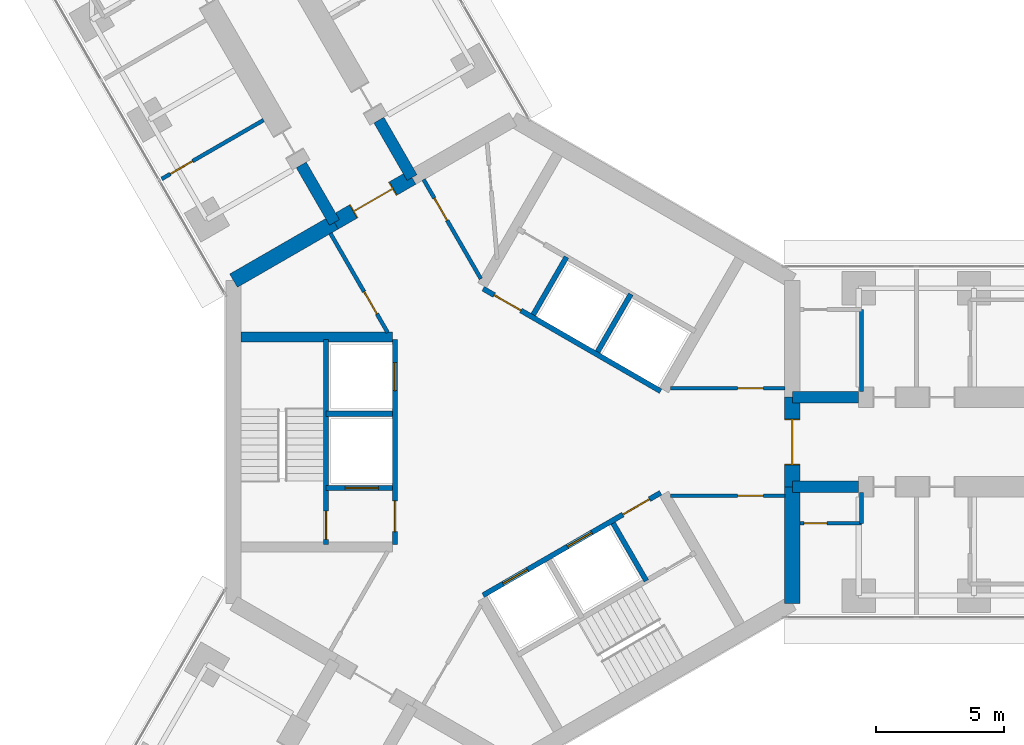
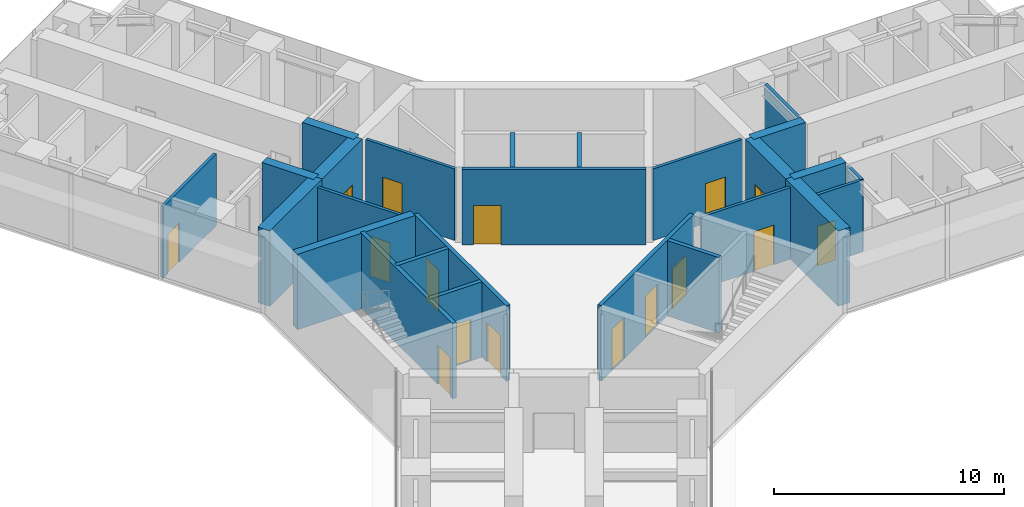
# One storey, part 16 of 22: 26 walls, 16 doors, 16 openings.
"""IFC4 building model written with IfcOpenShell, lengths in metres."""

import ifcopenshell
import ifcopenshell.guid

model = None  # the IFC model being written
_history = None  # IfcOwnerHistory: only IFC2X3 demands one
_inside = {}  # id of a spatial element -> (the spatial element, [elements in it])
_under = {}  # id of a project, library or spatial element -> (it, [spatial elements below it])
_declared = {}  # id of a project -> (the project, [libraries it declares])
_typed = {}  # id of a type object -> (the type object, [elements of that type])
_made_of = {}  # id of a material, layer set ... -> (it, [elements and type objects made of it])


def new_model(schema):
    """Start an empty IFC model of exactly this schema.

    Asked for "IFC4X3", IfcOpenShell would pick the latest addendum, in which some entities
    have other attributes; the version numbers below select the first issue.
    IFC2X3 requires an IfcOwnerHistory on every rooted entity: one is made here for all.
    """
    global model, _history
    if schema == "IFC4X3":
        model = ifcopenshell.file(schema_version=(4, 3, 0, 0))
    else:
        model = ifcopenshell.file(schema=schema)
    _inside.clear()
    _under.clear()
    _declared.clear()
    _typed.clear()
    _made_of.clear()
    _history = None
    if model.schema == "IFC2X3":
        org = make("IfcOrganization", Name="unknown")
        user = make(
            "IfcPersonAndOrganization",
            ThePerson=make("IfcPerson", FamilyName="unknown"),
            TheOrganization=org,
        )
        app = make(
            "IfcApplication",
            ApplicationDeveloper=org,
            Version="unknown",
            ApplicationFullName="unknown",
            ApplicationIdentifier="unknown",
        )
        _history = make(
            "IfcOwnerHistory",
            OwningUser=user,
            OwningApplication=app,
            ChangeAction="ADDED",
            CreationDate=0,
        )
    return model


def make(cls, **values):
    """One entity of the class cls with the attributes given. An attribute that is None is left unset."""
    return model.create_entity(
        cls, **{name: value for name, value in values.items() if value is not None}
    )


def rooted(cls, **values):
    """An entity with a GlobalId (a new one), such as an element, a storey or a relation."""
    return make(cls, GlobalId=ifcopenshell.guid.new(), OwnerHistory=_history, **values)


def si_unit(unit_type, name, prefix=None):
    """IfcSIUnit, for example si_unit("LENGTHUNIT", "METRE", prefix="MILLI")."""
    return make("IfcSIUnit", UnitType=unit_type, Prefix=prefix, Name=name)


def assignment(units):
    """IfcUnitAssignment: the units of a project."""
    return None if units is None else make("IfcUnitAssignment", Units=units)


def point(xyz):
    """IfcCartesianPoint."""
    return None if xyz is None else make("IfcCartesianPoint", Coordinates=xyz)


def direction(xyz):
    """IfcDirection."""
    return None if xyz is None else make("IfcDirection", DirectionRatios=xyz)


def frame(location, z_axis=None, x_axis=None):
    """IfcAxis2Placement3D, a coordinate frame: its origin and axes. An axis left out is left unset."""
    return make(
        "IfcAxis2Placement3D",
        Location=point(location),
        Axis=direction(z_axis),
        RefDirection=direction(x_axis),
    )


def frame_2d(location, x_axis=None):
    """IfcAxis2Placement2D, a coordinate frame in the plane: its origin and x axis."""
    return make(
        "IfcAxis2Placement2D", Location=point(location), RefDirection=direction(x_axis)
    )


def origin():
    """The frame at (0, 0, 0) with its axes left unset."""
    return frame((0.0, 0.0, 0.0))


def place(relative_to, where):
    """IfcLocalPlacement: puts the frame where relative to a parent placement (None: the world)."""
    return make(
        "IfcLocalPlacement", PlacementRelTo=relative_to, RelativePlacement=where
    )


def context(
    kind, dimensions, precision=None, world=None, true_north=None, identifier=None
):
    """IfcGeometricRepresentationContext, for example the 3D "Model" context."""
    return make(
        "IfcGeometricRepresentationContext",
        ContextIdentifier=identifier,
        ContextType=kind,
        CoordinateSpaceDimension=dimensions,
        Precision=precision,
        WorldCoordinateSystem=world,
        TrueNorth=true_north,
    )


def subcontext(parent, identifier, kind, view, scale=None):
    """IfcGeometricRepresentationSubContext, for example "Body" below "Model"."""
    return make(
        "IfcGeometricRepresentationSubContext",
        ContextIdentifier=identifier,
        ContextType=kind,
        ParentContext=parent,
        TargetScale=scale,
        TargetView=view,
    )


def project(units=None, contexts=None):
    """IfcProject with its units and contexts."""
    return rooted(
        "IfcProject",
        Name="project",
        RepresentationContexts=contexts,
        UnitsInContext=assignment(units),
    )


def spatial(cls, under=None, at=None, **own):
    """A site, building, storey or space (cls), placed at a placement, below another one or the project."""
    s = rooted(cls, ObjectPlacement=at, **own)
    if under is not None:
        _under.setdefault(under.id(), (under, []))[1].append(s)
    return s


def profile(cls, at=None, kind="AREA", **sizes):
    """A parametric profile (cls). Its sizes go by their IFC names, for example OverallWidth=200.0."""
    return make(cls, ProfileType=kind, Position=at, **sizes)


def rectangle(**sizes):
    """IfcRectangleProfileDef."""
    return profile("IfcRectangleProfileDef", **sizes)


def extrude(swept, where, along, depth):
    """IfcExtrudedAreaSolid: the profile swept, set in the frame where, extruded along a direction by depth."""
    return make(
        "IfcExtrudedAreaSolid",
        SweptArea=swept,
        Position=where,
        ExtrudedDirection=direction(along),
        Depth=depth,
    )


def shape(context_of_items, identifier, shape_type, items):
    """IfcShapeRepresentation: the items that make up one representation, for example the "Body"."""
    return make(
        "IfcShapeRepresentation",
        ContextOfItems=context_of_items,
        RepresentationIdentifier=identifier,
        RepresentationType=shape_type,
        Items=items,
    )


def material(Name=None, Category=None):
    """IfcMaterial."""
    return make("IfcMaterial", Name=Name, Category=Category)


def layer(
    of_material, thickness, ventilated=None, Name=None, Category=None, Priority=None
):
    """IfcMaterialLayer: one layer of a wall or slab, of a material (None: an air gap)."""
    return make(
        "IfcMaterialLayer",
        Material=of_material,
        LayerThickness=thickness,
        IsVentilated=ventilated,
        Name=Name,
        Category=Category,
        Priority=Priority,
    )


def layer_set(layers, Name=None):
    """IfcMaterialLayerSet."""
    return make("IfcMaterialLayerSet", MaterialLayers=layers, LayerSetName=Name)


def made_of(thing, what):
    """Note that an element or type object is made of a material, layer set ...; save() writes the relation."""
    if what is not None:
        _made_of.setdefault(what.id(), (what, []))[1].append(thing)
    return thing


def type_object(cls, material=None, **own):
    """A type object (cls), such as IfcWallType, which elements share."""
    return made_of(rooted(cls, **own), material)


def element(
    cls,
    number,
    at=None,
    inside=None,
    cuts=None,
    type_object=None,
    material=None,
    context=None,
    identifier="Body",
    shape_type=None,
    held_by="IfcProductDefinitionShape",
    body=None,
    shapes=None,
    **own,
):
    """One element of the class cls, such as IfcWall. Its Tag is "e" and its number.

    at: its placement. inside: the storey or other place that contains it. cuts: it is an
    opening in that element (IfcRelVoidsElement). A single representation is given by context,
    identifier, shape_type and body (its items); several are given by shapes. held_by: the class
    of the entity that holds the representations. save() writes the other relations.
    """
    e = rooted(cls, Tag="e%d" % number, ObjectPlacement=at, **own)
    if body is not None:
        shapes = [shape(context, identifier, shape_type, body)]
    if shapes is not None:
        e.Representation = make(held_by, Representations=shapes)
    if inside is not None:
        _inside.setdefault(inside.id(), (inside, []))[1].append(e)
    if cuts is not None:
        rooted(
            "IfcRelVoidsElement", RelatingBuildingElement=cuts, RelatedOpeningElement=e
        )
    if type_object is not None:
        _typed.setdefault(type_object.id(), (type_object, []))[1].append(e)
    return made_of(e, material)


def fill(opening, filler):
    """IfcRelFillsElement: the door or window that sits in an opening."""
    return rooted(
        "IfcRelFillsElement",
        RelatingOpeningElement=opening,
        RelatedBuildingElement=filler,
    )


def aggregate(whole, parts):
    """IfcRelAggregates: a whole, such as a stair, and the parts it consists of."""
    return rooted("IfcRelAggregates", RelatingObject=whole, RelatedObjects=parts)


def save(model, path):
    """Write the relations noted so far, then the file.

    IfcRelAggregates (storeys below a building ...), IfcRelContainedInSpatialStructure (elements
    in a storey), IfcRelDefinesByType, IfcRelAssociatesMaterial and IfcRelDeclares: one each for
    every whole, place, type object, material and project.
    """
    for whole, parts in _under.values():
        aggregate(whole, parts)
    for where, things in _inside.values():
        rooted(
            "IfcRelContainedInSpatialStructure",
            RelatedElements=things,
            RelatingStructure=where,
        )
    for kind, things in _typed.values():
        rooted("IfcRelDefinesByType", RelatedObjects=things, RelatingType=kind)
    for what, things in _made_of.values():
        rooted("IfcRelAssociatesMaterial", RelatedObjects=things, RelatingMaterial=what)
    for by, libraries in _declared.values():
        rooted("IfcRelDeclares", RelatingContext=by, RelatedDefinitions=libraries)
    model.write(path)


model = new_model("IFC4")

# Units and contexts
model_context = context("Model", 3, precision=1e-05, world=origin(), true_north=direction((0.0, 1.0)))
body_context = subcontext(model_context, "Body", "Model", "MODEL_VIEW")
ifc_project = project(units=[si_unit("LENGTHUNIT", "METRE"), si_unit("AREAUNIT", "SQUARE_METRE"), si_unit("VOLUMEUNIT", "CUBIC_METRE"), si_unit("PLANEANGLEUNIT", "RADIAN"), si_unit("MASSUNIT", "GRAM", prefix="KILO")], contexts=[model_context])

# Site, building, storey
site_placement = place(None, origin())
site = spatial("IfcSite", under=ifc_project, at=site_placement, CompositionType="ELEMENT")
building_placement = place(site_placement, origin())
building = spatial("IfcBuilding", under=site, at=building_placement, Name="Upepo Twin Towers", CompositionType="ELEMENT")
storey_placement = place(building_placement, frame((0.0, 0.0, 133.5)))
storey = spatial("IfcBuildingStorey", under=building, at=storey_placement, Name="L32", CompositionType="ELEMENT", Elevation=133.5)

# Walls
ifc_material_1 = material(Name="Concrete C60/75", Category="concrete")
ifc_layer_1 = layer(ifc_material_1, 0.449951171875)
ifc_layer_set_1 = layer_set([ifc_layer_1], Name="Concrete C60/75")
wall_type_1 = type_object("IfcWallType", Name="Buttress wall 450 RC", PredefinedType="SHEAR", material=ifc_layer_set_1)
for number, where, z_axis, x_axis, name in (
    (1, (10.908447265625, 1.75, 0.0), (0.0, 0.0, 1.0), (1.0, 0.0, 0.0), "T1 wing A buttress wall L"),
    (2, (10.908447265625, -1.75, 0.0), (0.0, 0.0, 1.0), (1.0, 0.0, 0.0), "T1 wing A buttress wall R"),
):
    element("IfcWall", number, at=place(storey_placement, frame(where, z_axis=z_axis, x_axis=x_axis)), inside=storey, type_object=wall_type_1, Name=name, PredefinedType="SHEAR", context=body_context, shape_type="SweptSolid", body=[
        extrude(rectangle(XDim=2.591552734375, YDim=0.449951171875, at=frame_2d((1.2958984375, 0.0))), origin(), (0.0, 0.0, 1.0), 4.0),
    ])
for number, where, z_axis, x_axis, name in (
    (3, (-6.9697265625, 8.57177734375, 0.0), (0.0, 0.0, 1.0), (-0.499988811324, 0.866031863473, 0.0), "T1 wing B buttress wall L"),
    (4, (-3.938720703125, 10.32177734375, 0.0), (0.0, 0.0, 1.0), (-0.499918158782, 0.866072649678, 0.0), "T1 wing B buttress wall R"),
):
    element("IfcWall", number, at=place(storey_placement, frame(where, z_axis=z_axis, x_axis=x_axis)), inside=storey, type_object=wall_type_1, Name=name, PredefinedType="SHEAR", context=body_context, shape_type="SweptSolid", body=[
        extrude(rectangle(XDim=2.591796875, YDim=0.449951171875, at=frame_2d((1.2958984375, 0.0))), origin(), (0.0, 0.0, 1.0), 4.0),
    ])
ifc_material_2 = material(Name="Concrete C60/75", Category="concrete")
ifc_layer_2 = layer(ifc_material_2, 0.60009765625)
ifc_layer_set_2 = layer_set([ifc_layer_2], Name="Concrete C60/75")
wall_type_2 = type_object("IfcWallType", Name="Core wall 600 RC", PredefinedType="SHEAR", material=ifc_layer_set_2)
wall_1_placement = place(storey_placement, frame((10.908447265625, -6.2978515625, 0.0), z_axis=(0.0, 0.0, 1.0), x_axis=(0.0, 1.0, 0.0)))
element("IfcWall", 5, at=wall_1_placement, inside=storey, type_object=wall_type_2, Name="T1 core wall 000 R", PredefinedType="SHEAR", context=body_context, shape_type="SweptSolid", body=[
    extrude(rectangle(XDim=4.5478515625, YDim=0.60009765625, at=frame_2d((2.27392578125, 0.0))), origin(), (0.0, 0.0, 1.0), 4.0),
])

# Wall, opening, door
wall_2_placement = place(storey_placement, frame((10.908447265625, -1.75, 0.0), z_axis=(0.0, 0.0, 1.0), x_axis=(0.0, 1.0, 0.0)))
wall_2 = element("IfcWall", 6, at=wall_2_placement, inside=storey, type_object=wall_type_2, Name="T1 core wall 000", PredefinedType="SHEAR", context=body_context, shape_type="SweptSolid", body=[
    extrude(rectangle(XDim=3.5, YDim=0.60009765625, at=frame_2d((1.75, 0.0))), origin(), (0.0, 0.0, 1.0), 4.0),
])
opening_1_placement = place(wall_2_placement, frame((0.85009765625, 0.0, 0.0)))
opening_1 = element("IfcOpeningElement", 7, at=opening_1_placement, cuts=wall_2, Name="Opening D2", PredefinedType="OPENING", context=body_context, shape_type="SweptSolid", body=[
    extrude(rectangle(XDim=1.800048828125, YDim=2.10009765625, at=frame_2d((0.89990234375, 1.050048828125))), frame((0.0, 0.31005859375, 0.0), z_axis=(0.0, -1.0, 0.0), x_axis=(1.0, 0.0, 0.0)), (0.0, 0.0, 1.0), 0.6201171875),
])
ifc_material_3 = material(Name="Timber doorset", Category="wood")
door_type_1 = type_object("IfcDoorType", Name="Corridor double door 1800 FD60", OperationType="DOUBLE_DOOR_DOUBLE_SWING", PredefinedType="DOOR", material=ifc_material_3)
door_1_placement = place(opening_1_placement, origin())
door_1 = element("IfcDoor", 8, at=door_1_placement, inside=storey, type_object=door_type_1, Name="T1 L32 wing A corridor door", OperationType="DOUBLE_DOOR_DOUBLE_SWING", OverallHeight=2.10009765625, OverallWidth=1.800048828125, PredefinedType="DOOR", context=body_context, shape_type="SweptSolid", body=[
    extrude(rectangle(XDim=1.720048828125, YDim=2.06009765625, at=frame_2d((0.89990234375, 1.030029296875))), frame((0.0, 0.02490234375, 0.0), z_axis=(0.0, -1.0, 0.0), x_axis=(1.0, 0.0, 0.0)), (0.0, 0.0, 1.0), 0.050048828125),
    extrude(rectangle(XDim=0.04, YDim=2.10009765625, at=frame_2d((0.02001953125, 1.050048828125))), frame((0.0, 0.2998046875, 0.0), z_axis=(0.0, -1.0, 0.0), x_axis=(1.0, 0.0, 0.0)), (0.0, 0.0, 1.0), 0.599609375),
    extrude(rectangle(XDim=0.04, YDim=2.10009765625, at=frame_2d((1.780029296875, 1.050048828125))), frame((0.0, 0.2998046875, 0.0), z_axis=(0.0, -1.0, 0.0), x_axis=(1.0, 0.0, 0.0)), (0.0, 0.0, 1.0), 0.599609375),
    extrude(rectangle(XDim=1.720048828125, YDim=0.04, at=frame_2d((0.89990234375, 2.080078125))), frame((0.0, 0.2998046875, 0.0), z_axis=(0.0, -1.0, 0.0), x_axis=(1.0, 0.0, 0.0)), (0.0, 0.0, 1.0), 0.599609375),
])
fill(opening_1, door_1)

wall_3_placement = place(storey_placement, frame((-3.938720703125, 10.32177734375, 0.0), z_axis=(0.0, 0.0, 1.0), x_axis=(-0.866019471182, -0.500010275428, 0.0)))
wall_3 = element("IfcWall", 9, at=wall_3_placement, inside=storey, type_object=wall_type_2, Name="T1 core wall 120", PredefinedType="SHEAR", context=body_context, shape_type="SweptSolid", body=[
    extrude(rectangle(XDim=3.5, YDim=0.60009765625, at=frame_2d((1.75, 0.0))), origin(), (0.0, 0.0, 1.0), 4.0),
])
opening_2_placement = place(wall_3_placement, frame((0.85009765625, 0.0, 0.0)))
opening_2 = element("IfcOpeningElement", 10, at=opening_2_placement, cuts=wall_3, Name="Opening D2", PredefinedType="OPENING", context=body_context, shape_type="SweptSolid", body=[
    extrude(rectangle(XDim=1.800048828125, YDim=2.10009765625, at=frame_2d((0.89990234375, 1.050048828125))), frame((0.0, 0.31005859375, 0.0), z_axis=(0.0, -1.0, 0.0), x_axis=(1.0, 0.0, 0.0)), (0.0, 0.0, 1.0), 0.6201171875),
])
door_2_placement = place(opening_2_placement, origin())
door_2 = element("IfcDoor", 11, at=door_2_placement, inside=storey, type_object=door_type_1, Name="T1 L32 wing B corridor door", OperationType="DOUBLE_DOOR_DOUBLE_SWING", OverallHeight=2.10009765625, OverallWidth=1.800048828125, PredefinedType="DOOR", context=body_context, shape_type="SweptSolid", body=[
    extrude(rectangle(XDim=1.720048828125, YDim=2.06009765625, at=frame_2d((0.89990234375, 1.030029296875))), frame((0.0, 0.02490234375, 0.0), z_axis=(0.0, -1.0, 0.0), x_axis=(1.0, 0.0, 0.0)), (0.0, 0.0, 1.0), 0.050048828125),
    extrude(rectangle(XDim=0.04, YDim=2.10009765625, at=frame_2d((0.02001953125, 1.050048828125))), frame((0.0, 0.2998046875, 0.0), z_axis=(0.0, -1.0, 0.0), x_axis=(1.0, 0.0, 0.0)), (0.0, 0.0, 1.0), 0.599609375),
    extrude(rectangle(XDim=0.04, YDim=2.10009765625, at=frame_2d((1.780029296875, 1.050048828125))), frame((0.0, 0.2998046875, 0.0), z_axis=(0.0, -1.0, 0.0), x_axis=(1.0, 0.0, 0.0)), (0.0, 0.0, 1.0), 0.599609375),
    extrude(rectangle(XDim=1.720048828125, YDim=0.04, at=frame_2d((0.89990234375, 2.080078125))), frame((0.0, 0.2998046875, 0.0), z_axis=(0.0, -1.0, 0.0), x_axis=(1.0, 0.0, 0.0)), (0.0, 0.0, 1.0), 0.599609375),
])
fill(opening_2, door_2)

# Wall
wall_4_placement = place(storey_placement, frame((-6.9697265625, 8.57177734375, 0.0), z_axis=(0.0, 0.0, 1.0), x_axis=(-0.866034513004, -0.499984222037, 0.0)))
element("IfcWall", 12, at=wall_4_placement, inside=storey, type_object=wall_type_2, Name="T1 core wall 120 L", PredefinedType="SHEAR", context=body_context, shape_type="SweptSolid", body=[
    extrude(rectangle(XDim=4.548095703125, YDim=0.60009765625, at=frame_2d((2.27392578125, 0.0))), origin(), (0.0, 0.0, 1.0), 4.0),
])

# Wall, opening, door
ifc_material_4 = material(Name="Concrete C40/50", Category="concrete")
ifc_layer_3 = layer(ifc_material_4, 0.199951171875)
ifc_layer_set_3 = layer_set([ifc_layer_3], Name="Concrete C40/50")
wall_type_3 = type_object("IfcWallType", Name="Shaft wall 200 RC", PredefinedType="SHEAR", material=ifc_layer_set_3)
wall_5_placement = place(storey_placement, frame((5.76416015625, 1.983642578125, 0.0), z_axis=(0.0, 0.0, 1.0), x_axis=(-0.866026010844, 0.49999894854, 0.0)))
wall_5 = element("IfcWall", 13, at=wall_5_placement, inside=storey, type_object=wall_type_3, Name="T1 core W60 front wall", PredefinedType="SHEAR", context=body_context, shape_type="SweptSolid", body=[
    extrude(rectangle(XDim=8.0, YDim=0.199951171875, at=frame_2d((4.0, 0.0))), origin(), (0.0, 0.0, 1.0), 4.0),
])
opening_3_placement = place(wall_5_placement, frame((6.300048828125, 0.0, 0.0)))
opening_3 = element("IfcOpeningElement", 14, at=opening_3_placement, cuts=wall_5, Name="Opening D4", PredefinedType="OPENING", context=body_context, shape_type="SweptSolid", body=[
    extrude(rectangle(XDim=1.199951171875, YDim=2.10009765625, at=frame_2d((0.60009765625, 1.050048828125))), frame((0.0, 0.10986328125, 0.0), z_axis=(0.0, -1.0, 0.0), x_axis=(1.0, 0.0, 0.0)), (0.0, 0.0, 1.0), 0.219970703125),
])
ifc_material_5 = material(Name="Timber doorset", Category="wood")
door_type_2 = type_object("IfcDoorType", Name="Lobby door 1200 FD60", OperationType="SINGLE_SWING_LEFT", PredefinedType="DOOR", material=ifc_material_5)
door_3_placement = place(opening_3_placement, origin())
door_3 = element("IfcDoor", 15, at=door_3_placement, inside=storey, type_object=door_type_2, Name="T1 L32 W60 lobby door", OperationType="SINGLE_SWING_RIGHT", OverallHeight=2.10009765625, OverallWidth=1.199951171875, PredefinedType="DOOR", context=body_context, shape_type="SweptSolid", body=[
    extrude(rectangle(XDim=1.199951171875, YDim=2.10009765625, at=frame_2d((0.60009765625, 1.050048828125))), frame((0.0, 0.02490234375, 0.0), z_axis=(0.0, -1.0, 0.0), x_axis=(1.0, 0.0, 0.0)), (0.0, 0.0, 1.0), 0.050048828125),
])
fill(opening_3, door_3)

# Walls
for number, where, z_axis, x_axis, name in (
    (16, (3.302734375, 3.520263671875, 0.0), (0.0, 0.0, 1.0), (0.499936506574, 0.866062058628, 0.0), "T1 core W60 shaft divider"),
    (17, (0.791259765625, 4.97021484375, 0.0), (0.0, 0.0, 1.0), (0.499936506574, 0.866062058628, 0.0), "T1 core W60 lobby wall"),
):
    element("IfcWall", number, at=place(storey_placement, frame(where, z_axis=z_axis, x_axis=x_axis)), inside=storey, type_object=wall_type_3, Name=name, PredefinedType="SHEAR", context=body_context, shape_type="SweptSolid", body=[
        extrude(rectangle(XDim=2.599853515625, YDim=0.199951171875, at=frame_2d((1.2998046875, 0.0))), origin(), (0.0, 0.0, 1.0), 4.0),
    ])

# Wall, openings, doors
wall_6_placement = place(storey_placement, frame((-4.60009765625, 4.0, 0.0), z_axis=(0.0, 0.0, 1.0), x_axis=(0.0, -1.0, 0.0)))
wall_6 = element("IfcWall", 18, at=wall_6_placement, inside=storey, type_object=wall_type_3, Name="T1 core W180 front wall", PredefinedType="SHEAR", context=body_context, shape_type="SweptSolid", body=[
    extrude(rectangle(XDim=8.0, YDim=0.199951171875, at=frame_2d((4.0, 0.0))), origin(), (0.0, 0.0, 1.0), 4.0),
])
opening_4_placement = place(wall_6_placement, frame((6.300048828125, 0.0, 0.0)))
opening_4 = element("IfcOpeningElement", 19, at=opening_4_placement, cuts=wall_6, Name="Opening D4", PredefinedType="OPENING", context=body_context, shape_type="SweptSolid", body=[
    extrude(rectangle(XDim=1.199951171875, YDim=2.10009765625, at=frame_2d((0.60009765625, 1.050048828125))), frame((0.0, 0.10986328125, 0.0), z_axis=(0.0, -1.0, 0.0), x_axis=(1.0, 0.0, 0.0)), (0.0, 0.0, 1.0), 0.219970703125),
])
opening_5_placement = place(wall_6_placement, frame((0.89990234375, 0.0, 0.0)))
opening_5 = element("IfcOpeningElement", 20, at=opening_5_placement, cuts=wall_6, Name="Opening LD1", PredefinedType="OPENING", context=body_context, shape_type="SweptSolid", body=[
    extrude(rectangle(XDim=1.10009765625, YDim=2.199951171875, at=frame_2d((0.550048828125, 1.10009765625))), frame((0.0, 0.10986328125, 0.0), z_axis=(0.0, -1.0, 0.0), x_axis=(1.0, 0.0, 0.0)), (0.0, 0.0, 1.0), 0.219970703125),
])
ifc_material_6 = material(Name="Steel doorset", Category="steel")
door_type_3 = type_object("IfcDoorType", Name="Lift landing door 1100", OperationType="DOUBLE_DOOR_SLIDING", PredefinedType="DOOR", material=ifc_material_6)
door_4_placement = place(opening_5_placement, origin())
door_4 = element("IfcDoor", 21, at=door_4_placement, inside=storey, type_object=door_type_3, Name="T1 L32 lift SV1 landing door", OperationType="DOUBLE_DOOR_SLIDING", OverallHeight=2.199951171875, OverallWidth=1.10009765625, PredefinedType="DOOR", context=body_context, shape_type="SweptSolid", body=[
    extrude(rectangle(XDim=1.10009765625, YDim=2.199951171875, at=frame_2d((0.550048828125, 1.10009765625))), frame((0.0, 0.02490234375, 0.0), z_axis=(0.0, -1.0, 0.0), x_axis=(1.0, 0.0, 0.0)), (0.0, 0.0, 1.0), 0.050048828125),
])
fill(opening_5, door_4)
door_5_placement = place(opening_4_placement, origin())
door_5 = element("IfcDoor", 22, at=door_5_placement, inside=storey, type_object=door_type_2, Name="T1 L32 W180 lobby door", OperationType="SINGLE_SWING_RIGHT", OverallHeight=2.10009765625, OverallWidth=1.199951171875, PredefinedType="DOOR", context=body_context, shape_type="SweptSolid", body=[
    extrude(rectangle(XDim=1.199951171875, YDim=2.10009765625, at=frame_2d((0.60009765625, 1.050048828125))), frame((0.0, 0.02490234375, 0.0), z_axis=(0.0, -1.0, 0.0), x_axis=(1.0, 0.0, 0.0)), (0.0, 0.0, 1.0), 0.050048828125),
])
fill(opening_4, door_5)

# Wall
wall_7_placement = place(storey_placement, frame((-4.699951171875, 1.10009765625, 0.0), z_axis=(0.0, 0.0, 1.0), x_axis=(-1.0, 0.0, 0.0)))
element("IfcWall", 23, at=wall_7_placement, inside=storey, type_object=wall_type_3, Name="T1 core W180 shaft divider", PredefinedType="SHEAR", context=body_context, shape_type="SweptSolid", body=[
    extrude(rectangle(XDim=2.60009765625, YDim=0.199951171875, at=frame_2d((1.300048828125, 0.0))), origin(), (0.0, 0.0, 1.0), 4.0),
])

# Wall, opening, door
wall_8_placement = place(storey_placement, frame((-4.699951171875, -1.800048828125, 0.0), z_axis=(0.0, 0.0, 1.0), x_axis=(-1.0, 0.0, 0.0)))
wall_8 = element("IfcWall", 24, at=wall_8_placement, inside=storey, type_object=wall_type_3, Name="T1 core W180 lobby wall", PredefinedType="SHEAR", context=body_context, shape_type="SweptSolid", body=[
    extrude(rectangle(XDim=2.60009765625, YDim=0.199951171875, at=frame_2d((1.300048828125, 0.0))), origin(), (0.0, 0.0, 1.0), 4.0),
])
opening_6_placement = place(wall_8_placement, frame((0.550048828125, 0.0, 0.0)))
opening_6 = element("IfcOpeningElement", 25, at=opening_6_placement, cuts=wall_8, Name="Opening LD2", PredefinedType="OPENING", context=body_context, shape_type="SweptSolid", body=[
    extrude(rectangle(XDim=1.300048828125, YDim=2.199951171875, at=frame_2d((0.64990234375, 1.10009765625))), frame((0.0, 0.10986328125, 0.0), z_axis=(0.0, -1.0, 0.0), x_axis=(1.0, 0.0, 0.0)), (0.0, 0.0, 1.0), 0.219970703125),
])
ifc_material_7 = material(Name="Steel doorset", Category="steel")
door_type_4 = type_object("IfcDoorType", Name="Firefighting lift landing door 1300", OperationType="DOUBLE_DOOR_SLIDING", PredefinedType="DOOR", material=ifc_material_7)
door_6_placement = place(opening_6_placement, origin())
door_6 = element("IfcDoor", 26, at=door_6_placement, inside=storey, type_object=door_type_4, Name="T1 L32 firefighting lift landing door", OperationType="DOUBLE_DOOR_SLIDING", OverallHeight=2.199951171875, OverallWidth=1.300048828125, PredefinedType="DOOR", context=body_context, shape_type="SweptSolid", body=[
    extrude(rectangle(XDim=1.300048828125, YDim=2.199951171875, at=frame_2d((0.64990234375, 1.10009765625))), frame((0.0, 0.02490234375, 0.0), z_axis=(0.0, -1.0, 0.0), x_axis=(1.0, 0.0, 0.0)), (0.0, 0.0, 1.0), 0.050048828125),
])
fill(opening_6, door_6)

wall_9_placement = place(storey_placement, frame((-7.300048828125, 4.0, 0.0), z_axis=(0.0, 0.0, 1.0), x_axis=(0.0, -1.0, 0.0)))
wall_9 = element("IfcWall", 27, at=wall_9_placement, inside=storey, type_object=wall_type_3, Name="T1 core W180 stair wall", PredefinedType="SHEAR", context=body_context, shape_type="SweptSolid", body=[
    extrude(rectangle(XDim=8.0, YDim=0.199951171875, at=frame_2d((4.0, 0.0))), origin(), (0.0, 0.0, 1.0), 4.0),
])
opening_7_placement = place(wall_9_placement, frame((6.699951171875, 0.0, 0.0)))
opening_7 = element("IfcOpeningElement", 28, at=opening_7_placement, cuts=wall_9, Name="Opening D3", PredefinedType="OPENING", context=body_context, shape_type="SweptSolid", body=[
    extrude(rectangle(XDim=1.10009765625, YDim=2.10009765625, at=frame_2d((0.550048828125, 1.050048828125))), frame((0.0, 0.10986328125, 0.0), z_axis=(0.0, -1.0, 0.0), x_axis=(1.0, 0.0, 0.0)), (0.0, 0.0, 1.0), 0.219970703125),
])
ifc_material_8 = material(Name="Timber doorset", Category="wood")
door_type_5 = type_object("IfcDoorType", Name="Stair door 1100 FD60", OperationType="SINGLE_SWING_LEFT", PredefinedType="DOOR", material=ifc_material_8)
door_7_placement = place(opening_7_placement, origin())
door_7 = element("IfcDoor", 29, at=door_7_placement, inside=storey, type_object=door_type_5, Name="T1 L32 stair door", OperationType="SINGLE_SWING_RIGHT", OverallHeight=2.10009765625, OverallWidth=1.10009765625, PredefinedType="DOOR", context=body_context, shape_type="SweptSolid", body=[
    extrude(rectangle(XDim=1.10009765625, YDim=2.10009765625, at=frame_2d((0.550048828125, 1.050048828125))), frame((0.0, 0.02490234375, 0.0), z_axis=(0.0, -1.0, 0.0), x_axis=(1.0, 0.0, 0.0)), (0.0, 0.0, 1.0), 0.050048828125),
])
fill(opening_7, door_7)

# Wall, openings, doors
wall_10_placement = place(storey_placement, frame((-1.1640625, -5.983642578125, 0.0), z_axis=(0.0, 0.0, 1.0), x_axis=(0.866026010844, 0.49999894854, 0.0)))
wall_10 = element("IfcWall", 30, at=wall_10_placement, inside=storey, type_object=wall_type_3, Name="T1 core W300 front wall", PredefinedType="SHEAR", context=body_context, shape_type="SweptSolid", body=[
    extrude(rectangle(XDim=8.0, YDim=0.199951171875, at=frame_2d((4.0, 0.0))), origin(), (0.0, 0.0, 1.0), 4.0),
])
opening_8_placement = place(wall_10_placement, frame((6.300048828125, 0.0, 0.0)))
opening_8 = element("IfcOpeningElement", 31, at=opening_8_placement, cuts=wall_10, Name="Opening D4", PredefinedType="OPENING", context=body_context, shape_type="SweptSolid", body=[
    extrude(rectangle(XDim=1.199951171875, YDim=2.10009765625, at=frame_2d((0.60009765625, 1.050048828125))), frame((0.0, 0.10986328125, 0.0), z_axis=(0.0, -1.0, 0.0), x_axis=(1.0, 0.0, 0.0)), (0.0, 0.0, 1.0), 0.219970703125),
])
opening_9_placement = place(wall_10_placement, frame((0.89990234375, 0.0, 0.0)))
opening_9 = element("IfcOpeningElement", 32, at=opening_9_placement, cuts=wall_10, Name="Opening LD1", PredefinedType="OPENING", context=body_context, shape_type="SweptSolid", body=[
    extrude(rectangle(XDim=1.10009765625, YDim=2.199951171875, at=frame_2d((0.550048828125, 1.10009765625))), frame((0.0, 0.10986328125, 0.0), z_axis=(0.0, -1.0, 0.0), x_axis=(1.0, 0.0, 0.0)), (0.0, 0.0, 1.0), 0.219970703125),
])
opening_10_placement = place(wall_10_placement, frame((3.800048828125, 0.0, 0.0)))
opening_10 = element("IfcOpeningElement", 33, at=opening_10_placement, cuts=wall_10, Name="Opening LD1", PredefinedType="OPENING", context=body_context, shape_type="SweptSolid", body=[
    extrude(rectangle(XDim=1.10009765625, YDim=2.199951171875, at=frame_2d((0.550048828125, 1.10009765625))), frame((0.0, 0.10986328125, 0.0), z_axis=(0.0, -1.0, 0.0), x_axis=(1.0, 0.0, 0.0)), (0.0, 0.0, 1.0), 0.219970703125),
])
door_8_placement = place(opening_9_placement, origin())
door_8 = element("IfcDoor", 34, at=door_8_placement, inside=storey, type_object=door_type_3, Name="T1 L32 lift ML1 landing door", OperationType="DOUBLE_DOOR_SLIDING", OverallHeight=2.199951171875, OverallWidth=1.10009765625, PredefinedType="DOOR", context=body_context, shape_type="SweptSolid", body=[
    extrude(rectangle(XDim=1.10009765625, YDim=2.199951171875, at=frame_2d((0.550048828125, 1.10009765625))), frame((0.0, 0.02490234375, 0.0), z_axis=(0.0, -1.0, 0.0), x_axis=(1.0, 0.0, 0.0)), (0.0, 0.0, 1.0), 0.050048828125),
])
fill(opening_9, door_8)
door_9_placement = place(opening_10_placement, origin())
door_9 = element("IfcDoor", 35, at=door_9_placement, inside=storey, type_object=door_type_3, Name="T1 L32 lift ML2 landing door", OperationType="DOUBLE_DOOR_SLIDING", OverallHeight=2.199951171875, OverallWidth=1.10009765625, PredefinedType="DOOR", context=body_context, shape_type="SweptSolid", body=[
    extrude(rectangle(XDim=1.10009765625, YDim=2.199951171875, at=frame_2d((0.550048828125, 1.10009765625))), frame((0.0, 0.02490234375, 0.0), z_axis=(0.0, -1.0, 0.0), x_axis=(1.0, 0.0, 0.0)), (0.0, 0.0, 1.0), 0.050048828125),
])
fill(opening_10, door_9)
door_10_placement = place(opening_8_placement, origin())
door_10 = element("IfcDoor", 36, at=door_10_placement, inside=storey, type_object=door_type_2, Name="T1 L32 W300 lobby door", OperationType="SINGLE_SWING_RIGHT", OverallHeight=2.10009765625, OverallWidth=1.199951171875, PredefinedType="DOOR", context=body_context, shape_type="SweptSolid", body=[
    extrude(rectangle(XDim=1.199951171875, YDim=2.10009765625, at=frame_2d((0.60009765625, 1.050048828125))), frame((0.0, 0.02490234375, 0.0), z_axis=(0.0, -1.0, 0.0), x_axis=(1.0, 0.0, 0.0)), (0.0, 0.0, 1.0), 0.050048828125),
])
fill(opening_8, door_10)

# Walls
wall_11_placement = place(storey_placement, frame((3.908935546875, -3.17041015625, 0.0), z_axis=(0.0, 0.0, 1.0), x_axis=(0.49997716683, -0.86603858612, 0.0)))
element("IfcWall", 37, at=wall_11_placement, inside=storey, type_object=wall_type_3, Name="T1 core W300 lobby wall", PredefinedType="SHEAR", context=body_context, shape_type="SweptSolid", body=[
    extrude(rectangle(XDim=2.599609375, YDim=0.199951171875, at=frame_2d((1.2998046875, 0.0))), origin(), (0.0, 0.0, 1.0), 4.0),
])
ifc_material_9 = material(Name="Concrete C40/50", Category="concrete")
ifc_layer_4 = layer(ifc_material_9, 0.39990234375)
ifc_layer_set_4 = layer_set([ifc_layer_4], Name="Concrete C40/50")
wall_type_4 = type_object("IfcWallType", Name="Shaft wall 400 RC", PredefinedType="SHEAR", material=ifc_layer_set_4)
wall_12_placement = place(storey_placement, frame((-4.699951171875, 4.10009765625, 0.0), z_axis=(0.0, 0.0, 1.0), x_axis=(-1.0, 0.0, 0.0)))
element("IfcWall", 38, at=wall_12_placement, inside=storey, type_object=wall_type_4, Name="T1 core W180 side wall S", PredefinedType="SHEAR", context=body_context, shape_type="SweptSolid", body=[
    extrude(rectangle(XDim=5.908447265625, YDim=0.39990234375, at=frame_2d((2.9541015625, 0.0))), origin(), (0.0, 0.0, 1.0), 4.0),
])
ifc_material_10 = material(Name="Gypsum board on steel studs", Category="steel")
ifc_layer_5 = layer(ifc_material_10, 0.14990234375)
ifc_layer_set_5 = layer_set([ifc_layer_5], Name="Teaching partition 150 acoustic")
wall_type_5 = type_object("IfcWallType", Name="Teaching partition 150 acoustic", PredefinedType="PARTITIONING", material=ifc_layer_set_5)
wall_13_placement = place(storey_placement, frame((13.60791015625, 1.97509765625, 0.0), z_axis=(0.0, 0.0, 1.0), x_axis=(0.0, 1.0, 0.0)))
element("IfcWall", 39, at=wall_13_placement, inside=storey, type_object=wall_type_5, Name="T1 WC bay partition AL end at 13.61", PredefinedType="PARTITIONING", context=body_context, shape_type="SweptSolid", body=[
    extrude(rectangle(XDim=3.199951171875, YDim=0.14990234375, at=frame_2d((1.60009765625, 0.0))), origin(), (0.0, 0.0, 1.0), 3.800048828125),
])

# Wall, opening, door
wall_14_placement = place(storey_placement, frame((11.2080078125, -3.175048828125, 0.0), z_axis=(0.0, 0.0, 1.0), x_axis=(1.0, 0.0, 0.0)))
wall_14 = element("IfcWall", 40, at=wall_14_placement, inside=storey, type_object=wall_type_5, Name="T1 WC bay partition AR at 11.21", PredefinedType="PARTITIONING", context=body_context, shape_type="SweptSolid", body=[
    extrude(rectangle(XDim=2.39990234375, YDim=0.14990234375, at=frame_2d((1.199951171875, 0.0))), origin(), (0.0, 0.0, 1.0), 3.800048828125),
])
opening_11_placement = place(wall_14_placement, frame((0.14990234375, 0.0, 0.0)))
opening_11 = element("IfcOpeningElement", 41, at=opening_11_placement, cuts=wall_14, Name="Opening D14", PredefinedType="OPENING", context=body_context, shape_type="SweptSolid", body=[
    extrude(rectangle(XDim=0.89990234375, YDim=2.10009765625, at=frame_2d((0.449951171875, 1.050048828125))), frame((0.0, 0.0849609375, 0.0), z_axis=(0.0, -1.0, 0.0), x_axis=(1.0, 0.0, 0.0)), (0.0, 0.0, 1.0), 0.169921875),
])
ifc_material_11 = material(Name="Timber doorset", Category="wood")
door_type_6 = type_object("IfcDoorType", Name="Office door 900 FD30", OperationType="SINGLE_SWING_LEFT", PredefinedType="DOOR", material=ifc_material_11)
door_11_placement = place(opening_11_placement, origin())
door_11 = element("IfcDoor", 42, at=door_11_placement, inside=storey, type_object=door_type_6, Name="T1 L32 WC bay inner room door", OperationType="SINGLE_SWING_LEFT", OverallHeight=2.10009765625, OverallWidth=0.89990234375, PredefinedType="DOOR", context=body_context, shape_type="SweptSolid", body=[
    extrude(rectangle(XDim=0.89990234375, YDim=2.10009765625, at=frame_2d((0.449951171875, 1.050048828125))), frame((0.0, 0.02490234375, 0.0), z_axis=(0.0, -1.0, 0.0), x_axis=(1.0, 0.0, 0.0)), (0.0, 0.0, 1.0), 0.050048828125),
])
fill(opening_11, door_11)

# Wall
wall_15_placement = place(storey_placement, frame((13.60791015625, -1.97509765625, 0.0), z_axis=(0.0, 0.0, 1.0), x_axis=(0.0, -1.0, 0.0)))
element("IfcWall", 43, at=wall_15_placement, inside=storey, type_object=wall_type_5, Name="T1 WC bay partition AR end at 13.61", PredefinedType="PARTITIONING", context=body_context, shape_type="SweptSolid", body=[
    extrude(rectangle(XDim=1.199951171875, YDim=0.14990234375, at=frame_2d((0.60009765625, 0.0))), origin(), (0.0, 0.0, 1.0), 3.800048828125),
])

# Wall, opening, door
wall_16_placement = place(storey_placement, frame((-9.737060546875, 12.56494140625, 0.0), z_axis=(0.0, 0.0, 1.0), x_axis=(-0.866016770315, -0.500014953309, 0.0)))
wall_16 = element("IfcWall", 44, at=wall_16_placement, inside=storey, type_object=wall_type_5, Name="T1 partition BL at 15.75", PredefinedType="PARTITIONING", context=body_context, shape_type="SweptSolid", body=[
    extrude(rectangle(XDim=4.599853515625, YDim=0.14990234375, at=frame_2d((2.2998046875, 0.0))), origin(), (0.0, 0.0, 1.0), 3.800048828125),
])
opening_12_placement = place(wall_16_placement, frame((3.199951171875, 0.0, 0.0)))
opening_12 = element("IfcOpeningElement", 45, at=opening_12_placement, cuts=wall_16, Name="Opening D1", PredefinedType="OPENING", context=body_context, shape_type="SweptSolid", body=[
    extrude(rectangle(XDim=1.0, YDim=2.10009765625, at=frame_2d((0.5, 1.050048828125))), frame((0.0, 0.0849609375, 0.0), z_axis=(0.0, -1.0, 0.0), x_axis=(1.0, 0.0, 0.0)), (0.0, 0.0, 1.0), 0.169921875),
])
ifc_material_12 = material(Name="Timber doorset", Category="wood")
door_type_7 = type_object("IfcDoorType", Name="Room door 1000 FD30", OperationType="SINGLE_SWING_LEFT", PredefinedType="DOOR", material=ifc_material_12)
door_12_placement = place(opening_12_placement, origin())
door_12 = element("IfcDoor", 46, at=door_12_placement, inside=storey, type_object=door_type_7, Name="T1 L32 connecting door", OperationType="SINGLE_SWING_RIGHT", OverallHeight=2.10009765625, OverallWidth=1.0, PredefinedType="DOOR", context=body_context, shape_type="SweptSolid", body=[
    extrude(rectangle(XDim=1.0, YDim=2.10009765625, at=frame_2d((0.5, 1.050048828125))), frame((0.0, 0.02490234375, 0.0), z_axis=(0.0, -1.0, 0.0), x_axis=(1.0, 0.0, 0.0)), (0.0, 0.0, 1.0), 0.050048828125),
])
fill(opening_12, door_12)

wall_17_placement = place(storey_placement, frame((-4.889892578125, 4.269775390625, 0.0), z_axis=(0.0, 0.0, 1.0), x_axis=(-0.499999473313, 0.866025707867, 0.0)))
wall_17 = element("IfcWall", 47, at=wall_17_placement, inside=storey, type_object=wall_type_5, Name="T1 core room partition 3", PredefinedType="PARTITIONING", context=body_context, shape_type="SweptSolid", body=[
    extrude(rectangle(XDim=4.4755859375, YDim=0.14990234375, at=frame_2d((2.23779296875, 0.0))), origin(), (0.0, 0.0, 1.0), 3.800048828125),
])
opening_13_placement = place(wall_17_placement, frame((0.8427734375, 0.0, 0.0)))
opening_13 = element("IfcOpeningElement", 48, at=opening_13_placement, cuts=wall_17, Name="Opening D1", PredefinedType="OPENING", context=body_context, shape_type="SweptSolid", body=[
    extrude(rectangle(XDim=1.0, YDim=2.10009765625, at=frame_2d((0.5, 1.050048828125))), frame((0.0, 0.0849609375, 0.0), z_axis=(0.0, -1.0, 0.0), x_axis=(1.0, 0.0, 0.0)), (0.0, 0.0, 1.0), 0.169921875),
])
door_13_placement = place(opening_13_placement, origin())
door_13 = element("IfcDoor", 49, at=door_13_placement, inside=storey, type_object=door_type_7, Name="T1 L32 core room door K7", OperationType="SINGLE_SWING_LEFT", OverallHeight=2.10009765625, OverallWidth=1.0, PredefinedType="DOOR", context=body_context, shape_type="SweptSolid", body=[
    extrude(rectangle(XDim=1.0, YDim=2.10009765625, at=frame_2d((0.5, 1.050048828125))), frame((0.0, 0.02490234375, 0.0), z_axis=(0.0, -1.0, 0.0), x_axis=(1.0, 0.0, 0.0)), (0.0, 0.0, 1.0), 0.050048828125),
])
fill(opening_13, door_13)

wall_18_placement = place(storey_placement, frame((-3.490478515625, 10.24560546875, 0.0), z_axis=(0.0, 0.0, 1.0), x_axis=(0.499999473313, -0.866025707867, 0.0)))
wall_18 = element("IfcWall", 50, at=wall_18_placement, inside=storey, type_object=wall_type_5, Name="T1 core room partition 4", PredefinedType="PARTITIONING", context=body_context, shape_type="SweptSolid", body=[
    extrude(rectangle(XDim=4.4755859375, YDim=0.14990234375, at=frame_2d((2.23779296875, 0.0))), origin(), (0.0, 0.0, 1.0), 3.800048828125),
])
opening_14_placement = place(wall_18_placement, frame((0.8427734375, 0.0, 0.0)))
opening_14 = element("IfcOpeningElement", 51, at=opening_14_placement, cuts=wall_18, Name="Opening D1", PredefinedType="OPENING", context=body_context, shape_type="SweptSolid", body=[
    extrude(rectangle(XDim=1.0, YDim=2.10009765625, at=frame_2d((0.5, 1.050048828125))), frame((0.0, 0.0849609375, 0.0), z_axis=(0.0, -1.0, 0.0), x_axis=(1.0, 0.0, 0.0)), (0.0, 0.0, 1.0), 0.169921875),
])
door_14_placement = place(opening_14_placement, origin())
door_14 = element("IfcDoor", 52, at=door_14_placement, inside=storey, type_object=door_type_7, Name="T1 L32 core room door K5", OperationType="SINGLE_SWING_LEFT", OverallHeight=2.10009765625, OverallWidth=1.0, PredefinedType="DOOR", context=body_context, shape_type="SweptSolid", body=[
    extrude(rectangle(XDim=1.0, YDim=2.10009765625, at=frame_2d((0.5, 1.050048828125))), frame((0.0, 0.02490234375, 0.0), z_axis=(0.0, -1.0, 0.0), x_axis=(1.0, 0.0, 0.0)), (0.0, 0.0, 1.0), 0.050048828125),
])
fill(opening_14, door_14)

wall_19_placement = place(storey_placement, frame((6.142578125, 2.10009765625, 0.0), z_axis=(0.0, 0.0, 1.0), x_axis=(1.0, 0.0, 0.0)))
wall_19 = element("IfcWall", 53, at=wall_19_placement, inside=storey, type_object=wall_type_5, Name="T1 core room partition 5", PredefinedType="PARTITIONING", context=body_context, shape_type="SweptSolid", body=[
    extrude(rectangle(XDim=4.475830078125, YDim=0.14990234375, at=frame_2d((2.23779296875, 0.0))), origin(), (0.0, 0.0, 1.0), 3.800048828125),
])
opening_15_placement = place(wall_19_placement, frame((2.6328125, 0.0, 0.0)))
opening_15 = element("IfcOpeningElement", 54, at=opening_15_placement, cuts=wall_19, Name="Opening D1", PredefinedType="OPENING", context=body_context, shape_type="SweptSolid", body=[
    extrude(rectangle(XDim=1.0, YDim=2.10009765625, at=frame_2d((0.5, 1.050048828125))), frame((0.0, 0.0849609375, 0.0), z_axis=(0.0, -1.0, 0.0), x_axis=(1.0, 0.0, 0.0)), (0.0, 0.0, 1.0), 0.169921875),
])
door_15_placement = place(opening_15_placement, origin())
door_15 = element("IfcDoor", 55, at=door_15_placement, inside=storey, type_object=door_type_7, Name="T1 L32 core room door K4", OperationType="SINGLE_SWING_RIGHT", OverallHeight=2.10009765625, OverallWidth=1.0, PredefinedType="DOOR", context=body_context, shape_type="SweptSolid", body=[
    extrude(rectangle(XDim=1.0, YDim=2.10009765625, at=frame_2d((0.5, 1.050048828125))), frame((0.0, 0.02490234375, 0.0), z_axis=(0.0, -1.0, 0.0), x_axis=(1.0, 0.0, 0.0)), (0.0, 0.0, 1.0), 0.050048828125),
])
fill(opening_15, door_15)

wall_20_placement = place(storey_placement, frame((10.618408203125, -2.10009765625, 0.0), z_axis=(0.0, 0.0, 1.0), x_axis=(-1.0, 0.0, 0.0)))
wall_20 = element("IfcWall", 56, at=wall_20_placement, inside=storey, type_object=wall_type_5, Name="T1 core room partition 6", PredefinedType="PARTITIONING", context=body_context, shape_type="SweptSolid", body=[
    extrude(rectangle(XDim=4.475830078125, YDim=0.14990234375, at=frame_2d((2.23779296875, 0.0))), origin(), (0.0, 0.0, 1.0), 3.800048828125),
])
opening_16_placement = place(wall_20_placement, frame((0.8427734375, 0.0, 0.0)))
opening_16 = element("IfcOpeningElement", 57, at=opening_16_placement, cuts=wall_20, Name="Opening D1", PredefinedType="OPENING", context=body_context, shape_type="SweptSolid", body=[
    extrude(rectangle(XDim=1.0, YDim=2.10009765625, at=frame_2d((0.5, 1.050048828125))), frame((0.0, 0.0849609375, 0.0), z_axis=(0.0, -1.0, 0.0), x_axis=(1.0, 0.0, 0.0)), (0.0, 0.0, 1.0), 0.169921875),
])
door_16_placement = place(opening_16_placement, origin())
door_16 = element("IfcDoor", 58, at=door_16_placement, inside=storey, type_object=door_type_7, Name="T1 L32 core room door K3", OperationType="SINGLE_SWING_LEFT", OverallHeight=2.10009765625, OverallWidth=1.0, PredefinedType="DOOR", context=body_context, shape_type="SweptSolid", body=[
    extrude(rectangle(XDim=1.0, YDim=2.10009765625, at=frame_2d((0.5, 1.050048828125))), frame((0.0, 0.02490234375, 0.0), z_axis=(0.0, -1.0, 0.0), x_axis=(1.0, 0.0, 0.0)), (0.0, 0.0, 1.0), 0.050048828125),
])
fill(opening_16, door_16)

save(model, "model.ifc")
